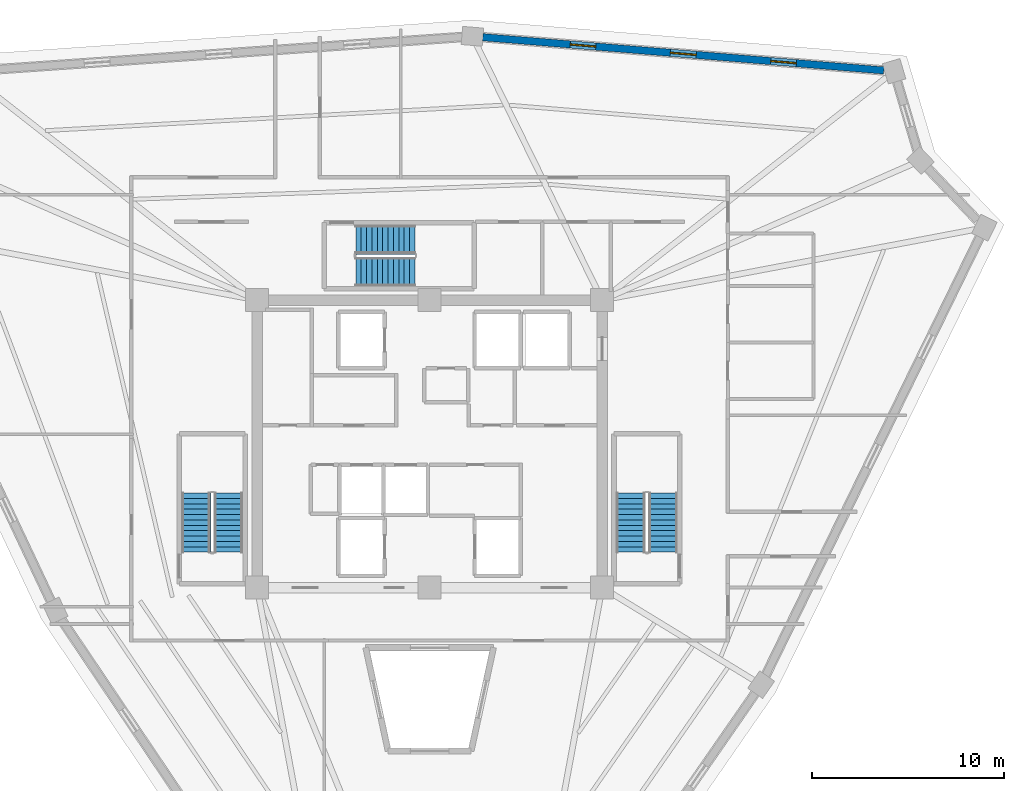
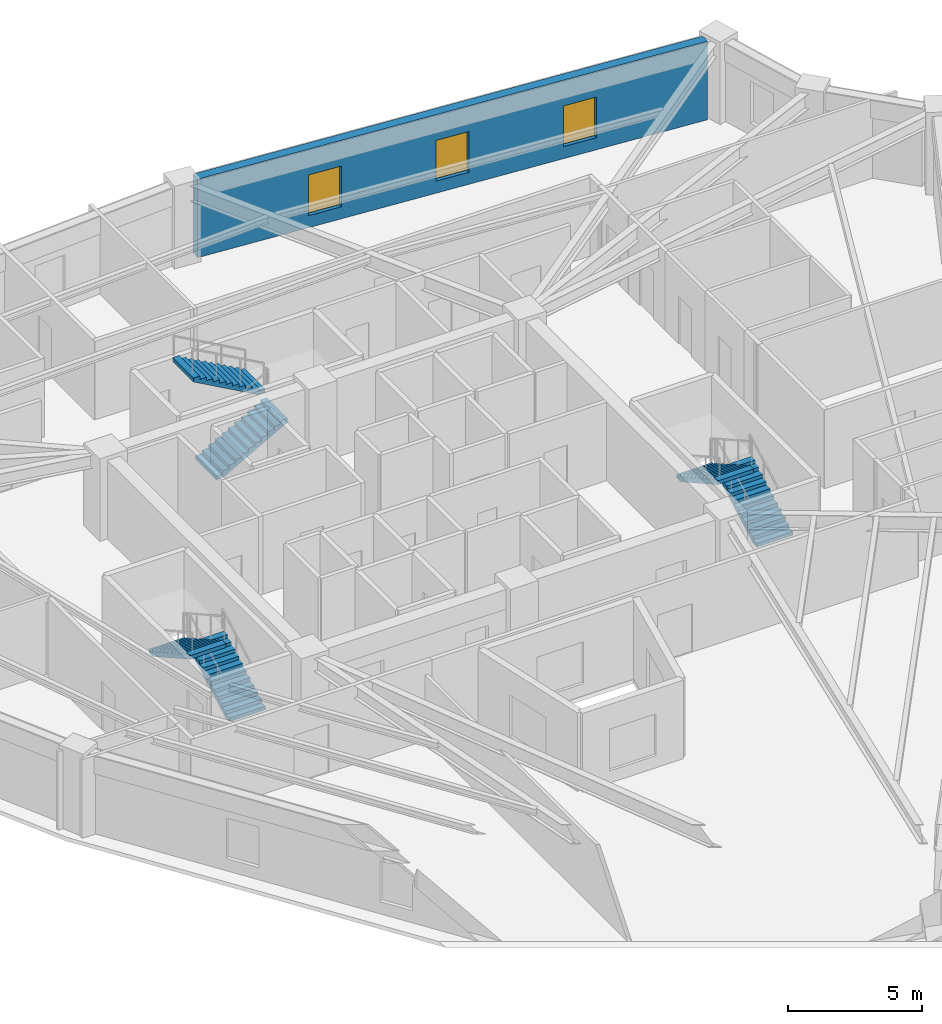
# One storey, part 7 of 8: 6 stair flights, 3 windows, 1 wall, 3 openings, 3 elements without a shape of their own.
"""IFC4 building model written with IfcOpenShell, lengths in metres."""

import ifcopenshell
import ifcopenshell.guid

model = None  # the IFC model being written
_history = None  # IfcOwnerHistory: only IFC2X3 demands one
_inside = {}  # id of a spatial element -> (the spatial element, [elements in it])
_under = {}  # id of a project, library or spatial element -> (it, [spatial elements below it])
_declared = {}  # id of a project -> (the project, [libraries it declares])
_typed = {}  # id of a type object -> (the type object, [elements of that type])
_made_of = {}  # id of a material, layer set ... -> (it, [elements and type objects made of it])


def new_model(schema):
    """Start an empty IFC model of exactly this schema.

    Asked for "IFC4X3", IfcOpenShell would pick the latest addendum, in which some entities
    have other attributes; the version numbers below select the first issue.
    IFC2X3 requires an IfcOwnerHistory on every rooted entity: one is made here for all.
    """
    global model, _history
    if schema == "IFC4X3":
        model = ifcopenshell.file(schema_version=(4, 3, 0, 0))
    else:
        model = ifcopenshell.file(schema=schema)
    _inside.clear()
    _under.clear()
    _declared.clear()
    _typed.clear()
    _made_of.clear()
    _history = None
    if model.schema == "IFC2X3":
        org = make("IfcOrganization", Name="unknown")
        user = make(
            "IfcPersonAndOrganization",
            ThePerson=make("IfcPerson", FamilyName="unknown"),
            TheOrganization=org,
        )
        app = make(
            "IfcApplication",
            ApplicationDeveloper=org,
            Version="unknown",
            ApplicationFullName="unknown",
            ApplicationIdentifier="unknown",
        )
        _history = make(
            "IfcOwnerHistory",
            OwningUser=user,
            OwningApplication=app,
            ChangeAction="ADDED",
            CreationDate=0,
        )
    return model


def make(cls, **values):
    """One entity of the class cls with the attributes given. An attribute that is None is left unset."""
    return model.create_entity(
        cls, **{name: value for name, value in values.items() if value is not None}
    )


def rooted(cls, **values):
    """An entity with a GlobalId (a new one), such as an element, a storey or a relation."""
    return make(cls, GlobalId=ifcopenshell.guid.new(), OwnerHistory=_history, **values)


def si_unit(unit_type, name, prefix=None):
    """IfcSIUnit, for example si_unit("LENGTHUNIT", "METRE", prefix="MILLI")."""
    return make("IfcSIUnit", UnitType=unit_type, Prefix=prefix, Name=name)


def assignment(units):
    """IfcUnitAssignment: the units of a project."""
    return None if units is None else make("IfcUnitAssignment", Units=units)


def point(xyz):
    """IfcCartesianPoint."""
    return None if xyz is None else make("IfcCartesianPoint", Coordinates=xyz)


def direction(xyz):
    """IfcDirection."""
    return None if xyz is None else make("IfcDirection", DirectionRatios=xyz)


def frame(location, z_axis=None, x_axis=None):
    """IfcAxis2Placement3D, a coordinate frame: its origin and axes. An axis left out is left unset."""
    return make(
        "IfcAxis2Placement3D",
        Location=point(location),
        Axis=direction(z_axis),
        RefDirection=direction(x_axis),
    )


def frame_2d(location, x_axis=None):
    """IfcAxis2Placement2D, a coordinate frame in the plane: its origin and x axis."""
    return make(
        "IfcAxis2Placement2D", Location=point(location), RefDirection=direction(x_axis)
    )


def origin():
    """The frame at (0, 0, 0) with its axes left unset."""
    return frame((0.0, 0.0, 0.0))


def place(relative_to, where):
    """IfcLocalPlacement: puts the frame where relative to a parent placement (None: the world)."""
    return make(
        "IfcLocalPlacement", PlacementRelTo=relative_to, RelativePlacement=where
    )


def context(
    kind, dimensions, precision=None, world=None, true_north=None, identifier=None
):
    """IfcGeometricRepresentationContext, for example the 3D "Model" context."""
    return make(
        "IfcGeometricRepresentationContext",
        ContextIdentifier=identifier,
        ContextType=kind,
        CoordinateSpaceDimension=dimensions,
        Precision=precision,
        WorldCoordinateSystem=world,
        TrueNorth=true_north,
    )


def subcontext(parent, identifier, kind, view, scale=None):
    """IfcGeometricRepresentationSubContext, for example "Body" below "Model"."""
    return make(
        "IfcGeometricRepresentationSubContext",
        ContextIdentifier=identifier,
        ContextType=kind,
        ParentContext=parent,
        TargetScale=scale,
        TargetView=view,
    )


def project(units=None, contexts=None):
    """IfcProject with its units and contexts."""
    return rooted(
        "IfcProject",
        Name="project",
        RepresentationContexts=contexts,
        UnitsInContext=assignment(units),
    )


def spatial(cls, under=None, at=None, **own):
    """A site, building, storey or space (cls), placed at a placement, below another one or the project."""
    s = rooted(cls, ObjectPlacement=at, **own)
    if under is not None:
        _under.setdefault(under.id(), (under, []))[1].append(s)
    return s


def polyline(points):
    """IfcPolyline through the points."""
    return make("IfcPolyline", Points=[point(p) for p in points])


def profile(cls, at=None, kind="AREA", **sizes):
    """A parametric profile (cls). Its sizes go by their IFC names, for example OverallWidth=200.0."""
    return make(cls, ProfileType=kind, Position=at, **sizes)


def rectangle(**sizes):
    """IfcRectangleProfileDef."""
    return profile("IfcRectangleProfileDef", **sizes)


def outline(outer, holes=None, kind="AREA"):
    """IfcArbitraryClosedProfileDef: a profile drawn as a closed curve; with holes, ...WithVoids."""
    if holes is None:
        return make("IfcArbitraryClosedProfileDef", ProfileType=kind, OuterCurve=outer)
    return make(
        "IfcArbitraryProfileDefWithVoids",
        ProfileType=kind,
        OuterCurve=outer,
        InnerCurves=holes,
    )


def extrude(swept, where, along, depth):
    """IfcExtrudedAreaSolid: the profile swept, set in the frame where, extruded along a direction by depth."""
    return make(
        "IfcExtrudedAreaSolid",
        SweptArea=swept,
        Position=where,
        ExtrudedDirection=direction(along),
        Depth=depth,
    )


def shape(context_of_items, identifier, shape_type, items):
    """IfcShapeRepresentation: the items that make up one representation, for example the "Body"."""
    return make(
        "IfcShapeRepresentation",
        ContextOfItems=context_of_items,
        RepresentationIdentifier=identifier,
        RepresentationType=shape_type,
        Items=items,
    )


def source(mapping_origin, context_of_items, identifier, shape_type, items):
    """IfcRepresentationMap: a shape defined once, which mapped items show again and again."""
    return make(
        "IfcRepresentationMap",
        MappingOrigin=mapping_origin,
        MappedRepresentation=shape(context_of_items, identifier, shape_type, items),
    )


def transform(
    local_origin,
    x_axis=None,
    y_axis=None,
    z_axis=None,
    scale=None,
    scale2=None,
    scale3=None,
    uniform=True,
):
    """IfcCartesianTransformationOperator3D, or its non-uniform kind. x_axis, y_axis, z_axis: its Axis1, 2, 3."""
    if uniform:
        return make(
            "IfcCartesianTransformationOperator3D",
            Axis1=direction(x_axis),
            Axis2=direction(y_axis),
            LocalOrigin=point(local_origin),
            Scale=scale,
            Axis3=direction(z_axis),
        )
    return make(
        "IfcCartesianTransformationOperator3DnonUniform",
        Axis1=direction(x_axis),
        Axis2=direction(y_axis),
        LocalOrigin=point(local_origin),
        Scale=scale,
        Axis3=direction(z_axis),
        Scale2=scale2,
        Scale3=scale3,
    )


def mapped(mapping_source, mapping_target):
    """IfcMappedItem: shows the shape of a source again, moved by a transform."""
    return make(
        "IfcMappedItem", MappingSource=mapping_source, MappingTarget=mapping_target
    )


def material(Name=None, Category=None):
    """IfcMaterial."""
    return make("IfcMaterial", Name=Name, Category=Category)


def layer(
    of_material, thickness, ventilated=None, Name=None, Category=None, Priority=None
):
    """IfcMaterialLayer: one layer of a wall or slab, of a material (None: an air gap)."""
    return make(
        "IfcMaterialLayer",
        Material=of_material,
        LayerThickness=thickness,
        IsVentilated=ventilated,
        Name=Name,
        Category=Category,
        Priority=Priority,
    )


def layer_set(layers, Name=None):
    """IfcMaterialLayerSet."""
    return make("IfcMaterialLayerSet", MaterialLayers=layers, LayerSetName=Name)


def made_of(thing, what):
    """Note that an element or type object is made of a material, layer set ...; save() writes the relation."""
    if what is not None:
        _made_of.setdefault(what.id(), (what, []))[1].append(thing)
    return thing


def type_object(cls, material=None, **own):
    """A type object (cls), such as IfcWallType, which elements share."""
    return made_of(rooted(cls, **own), material)


def element(
    cls,
    number,
    at=None,
    inside=None,
    cuts=None,
    type_object=None,
    material=None,
    context=None,
    identifier="Body",
    shape_type=None,
    held_by="IfcProductDefinitionShape",
    body=None,
    shapes=None,
    **own,
):
    """One element of the class cls, such as IfcWall. Its Tag is "e" and its number.

    at: its placement. inside: the storey or other place that contains it. cuts: it is an
    opening in that element (IfcRelVoidsElement). A single representation is given by context,
    identifier, shape_type and body (its items); several are given by shapes. held_by: the class
    of the entity that holds the representations. save() writes the other relations.
    """
    e = rooted(cls, Tag="e%d" % number, ObjectPlacement=at, **own)
    if body is not None:
        shapes = [shape(context, identifier, shape_type, body)]
    if shapes is not None:
        e.Representation = make(held_by, Representations=shapes)
    if inside is not None:
        _inside.setdefault(inside.id(), (inside, []))[1].append(e)
    if cuts is not None:
        rooted(
            "IfcRelVoidsElement", RelatingBuildingElement=cuts, RelatedOpeningElement=e
        )
    if type_object is not None:
        _typed.setdefault(type_object.id(), (type_object, []))[1].append(e)
    return made_of(e, material)


def fill(opening, filler):
    """IfcRelFillsElement: the door or window that sits in an opening."""
    return rooted(
        "IfcRelFillsElement",
        RelatingOpeningElement=opening,
        RelatedBuildingElement=filler,
    )


def aggregate(whole, parts):
    """IfcRelAggregates: a whole, such as a stair, and the parts it consists of."""
    return rooted("IfcRelAggregates", RelatingObject=whole, RelatedObjects=parts)


def save(model, path):
    """Write the relations noted so far, then the file.

    IfcRelAggregates (storeys below a building ...), IfcRelContainedInSpatialStructure (elements
    in a storey), IfcRelDefinesByType, IfcRelAssociatesMaterial and IfcRelDeclares: one each for
    every whole, place, type object, material and project.
    """
    for whole, parts in _under.values():
        aggregate(whole, parts)
    for where, things in _inside.values():
        rooted(
            "IfcRelContainedInSpatialStructure",
            RelatedElements=things,
            RelatingStructure=where,
        )
    for kind, things in _typed.values():
        rooted("IfcRelDefinesByType", RelatedObjects=things, RelatingType=kind)
    for what, things in _made_of.values():
        rooted("IfcRelAssociatesMaterial", RelatedObjects=things, RelatingMaterial=what)
    for by, libraries in _declared.values():
        rooted("IfcRelDeclares", RelatingContext=by, RelatedDefinitions=libraries)
    model.write(path)


model = new_model("IFC4")

# Units and contexts
model_context = context("Model", 3, precision=1e-05, world=origin(), true_north=direction((0.0, 1.0)))
body_context = subcontext(model_context, "Body", "Model", "MODEL_VIEW")
ifc_project = project(units=[si_unit("LENGTHUNIT", "METRE"), si_unit("AREAUNIT", "SQUARE_METRE"), si_unit("VOLUMEUNIT", "CUBIC_METRE"), si_unit("PLANEANGLEUNIT", "RADIAN"), si_unit("MASSUNIT", "GRAM", prefix="KILO")], contexts=[model_context])

# Site, building, storey
site_placement = place(None, origin())
site = spatial("IfcSite", under=ifc_project, at=site_placement, CompositionType="ELEMENT")
building_placement = place(site_placement, origin())
building = spatial("IfcBuilding", under=site, at=building_placement, Name="Liaohun Quay Tower", CompositionType="ELEMENT")
storey_placement = place(building_placement, frame((0.0, 0.0, 343.5)))
storey = spatial("IfcBuildingStorey", under=building, at=storey_placement, Name="L89", CompositionType="ELEMENT", Elevation=343.5)

# Wall, openings, windows
ifc_material_1 = material(Name="Precast concrete C50 insulated sandwich", Category="concrete")
ifc_layer = layer(ifc_material_1, 0.3798828125, Name="Precast concrete C50 insulated sandwich", Category="concrete")
ifc_layer_set = layer_set([ifc_layer], Name="Precast concrete C50 insulated sandwich")
wall_type = type_object("IfcWallType", Name="WAL-EXT-Z34", PredefinedType="SOLIDWALL", material=ifc_layer_set)
wall_placement = place(storey_placement, frame((83.697021484375, 73.48291015625, 0.0), z_axis=(0.0, 0.0, 1.0), x_axis=(-0.996579754875, 0.082636506293, 0.0)))
wall = element("IfcWall", 1, at=wall_placement, inside=storey, type_object=wall_type, Name="L89 Brutalist Precast Pier Wall 06", PredefinedType="SOLIDWALL", context=body_context, shape_type="SweptSolid", body=[
    extrude(rectangle(XDim=20.996826171875, YDim=0.3798828125, at=frame_2d((10.49853515625, 0.0))), origin(), (0.0, 0.0, 1.0), 3.570068359375),
])
shared_shape_1 = source(origin(), body_context, "Body", "SweptSolid", [
    extrude(rectangle(XDim=1.35009765625, YDim=1.85009765625, at=frame_2d((0.675048828125, 0.925048828125))), frame((0.0, 0.199951171875, 0.0), z_axis=(0.0, -1.0, 0.0), x_axis=(1.0, 0.0, 0.0)), (0.0, 0.0, 1.0), 0.39990234375),
])
opening_1_placement = place(wall_placement, frame((4.573974609375, 0.0, 0.550048828125)))
opening_1 = element("IfcOpeningElement", 2, at=opening_1_placement, cuts=wall, Name="Opening W04", PredefinedType="OPENING", context=body_context, shape_type="MappedRepresentation", body=[
    mapped(shared_shape_1, transform((0.0, 0.0, 0.0), x_axis=(1.0, 0.0, 0.0), y_axis=(0.0, 1.0, 0.0), z_axis=(0.0, 0.0, 1.0), scale=1.0)),
])
opening_2_placement = place(wall_placement, frame((9.822998046875, 0.0, 0.550048828125)))
opening_2 = element("IfcOpeningElement", 3, at=opening_2_placement, cuts=wall, Name="Opening W04", PredefinedType="OPENING", context=body_context, shape_type="MappedRepresentation", body=[
    mapped(shared_shape_1, transform((0.0, 0.0, 0.0), x_axis=(1.0, 0.0, 0.0), y_axis=(0.0, 1.0, 0.0), z_axis=(0.0, 0.0, 1.0), scale=1.0)),
])
opening_3_placement = place(wall_placement, frame((15.072998046875, 0.0, 0.550048828125)))
opening_3 = element("IfcOpeningElement", 4, at=opening_3_placement, cuts=wall, Name="Opening W04", PredefinedType="OPENING", context=body_context, shape_type="MappedRepresentation", body=[
    mapped(shared_shape_1, transform((0.0, 0.0, 0.0), x_axis=(1.0, 0.0, 0.0), y_axis=(0.0, 1.0, 0.0), z_axis=(0.0, 0.0, 1.0), scale=1.0)),
])
ifc_material_2 = material(Name="Triple Low-E argon glazing in thermally broken aluminium", Category="aluminium")
window_type = type_object("IfcWindowType", Name="WIN-PUN-Z4", PartitioningType="SINGLE_PANEL", PredefinedType="WINDOW", material=ifc_material_2)
shared_shape_2 = source(origin(), body_context, "Body", "SweptSolid", [
    extrude(rectangle(XDim=1.35009765625, YDim=1.85009765625, at=frame_2d((0.675048828125, 0.925048828125))), frame((0.0, 0.030029296875, 0.0), z_axis=(0.0, -1.0, 0.0), x_axis=(1.0, 0.0, 0.0)), (0.0, 0.0, 1.0), 0.06005859375),
])
window_1_placement = place(opening_1_placement, origin())
window_1 = element("IfcWindow", 5, at=window_1_placement, inside=storey, type_object=window_type, Name="L89 Recessed Cold-Climate Punched Window 06-1", OverallHeight=1.85009765625, OverallWidth=1.35009765625, PartitioningType="SINGLE_PANEL", PredefinedType="WINDOW", context=body_context, shape_type="MappedRepresentation", body=[
    mapped(shared_shape_2, transform((0.0, 0.0, 0.0), x_axis=(1.0, 0.0, 0.0), y_axis=(0.0, 1.0, 0.0), z_axis=(0.0, 0.0, 1.0), scale=1.0)),
])
fill(opening_1, window_1)
window_2_placement = place(opening_2_placement, origin())
window_2 = element("IfcWindow", 6, at=window_2_placement, inside=storey, type_object=window_type, Name="L89 Recessed Cold-Climate Punched Window 06-2", OverallHeight=1.85009765625, OverallWidth=1.35009765625, PartitioningType="SINGLE_PANEL", PredefinedType="WINDOW", context=body_context, shape_type="MappedRepresentation", body=[
    mapped(shared_shape_2, transform((0.0, 0.0, 0.0), x_axis=(1.0, 0.0, 0.0), y_axis=(0.0, 1.0, 0.0), z_axis=(0.0, 0.0, 1.0), scale=1.0)),
])
fill(opening_2, window_2)
window_3_placement = place(opening_3_placement, origin())
window_3 = element("IfcWindow", 7, at=window_3_placement, inside=storey, type_object=window_type, Name="L89 Recessed Cold-Climate Punched Window 06-3", OverallHeight=1.85009765625, OverallWidth=1.35009765625, PartitioningType="SINGLE_PANEL", PredefinedType="WINDOW", context=body_context, shape_type="MappedRepresentation", body=[
    mapped(shared_shape_2, transform((0.0, 0.0, 0.0), x_axis=(1.0, 0.0, 0.0), y_axis=(0.0, 1.0, 0.0), z_axis=(0.0, 0.0, 1.0), scale=1.0)),
])
fill(opening_3, window_3)

# Stair, stair flights
ifc_material_3 = material(Name="Concrete C45", Category="concrete")
stair_type = type_object("IfcStairType", Name="STR-CORE-OFF", PredefinedType="HALF_TURN_STAIR", material=ifc_material_3)
stair_1_placement = place(storey_placement, origin())
stair_1 = element("IfcStair", 8, at=stair_1_placement, inside=storey, type_object=stair_type, Name="L89 Smokeproof Core Exit Stair ST-1", PredefinedType="HALF_TURN_STAIR")
stair_flight_type = type_object("IfcStairFlightType", Name="FLT-CORE-155", PredefinedType="STRAIGHT", material=ifc_material_3)
stair_flight_1_placement = place(storey_placement, frame((49.5048828125, 48.35009765625, 0.0), z_axis=(0.0, 0.0, 1.0), x_axis=(0.0, 1.0, 0.0)))
stair_flight_1 = element("IfcStairFlight", 9, at=stair_flight_1_placement, type_object=stair_flight_type, Name="ST-1 flight 1", NumberOfRisers=12, NumberOfTreads=11, PredefinedType="STRAIGHT", RiserHeight=0.15625, TreadLength=0.28, context=body_context, shape_type="SweptSolid", body=[
    extrude(outline(polyline([(0.0, 0.0), (0.0, 0.15625), (0.280029296875, 0.15625), (0.280029296875, 0.3125), (0.56005859375, 0.3125), (0.56005859375, 0.46875), (0.840087890625, 0.46875), (0.840087890625, 0.625), (1.1201171875, 0.625), (1.1201171875, 0.78125), (1.39990234375, 0.78125), (1.39990234375, 0.9375), (1.679931640625, 0.9375), (1.679931640625, 1.09375), (1.9599609375, 1.09375), (1.9599609375, 1.25), (2.239990234375, 1.25), (2.239990234375, 1.40625), (2.52001953125, 1.40625), (2.52001953125, 1.5625), (2.800048828125, 1.5625), (2.800048828125, 1.71875), (3.080078125, 1.71875), (3.080078125, 1.875), (3.080078125, 1.547119140625), (0.3076171875, 0.0), (0.0, 0.0)])), frame((0.0, 0.77490234375, 0.0), z_axis=(0.0, -1.0, 0.0), x_axis=(1.0, 0.0, 0.0)), (0.0, 0.0, 1.0), 1.550048828125),
])
stair_flight_2_placement = place(storey_placement, frame((47.81494140625, 51.429931640625, 1.875), z_axis=(0.0, 0.0, 1.0), x_axis=(0.0, -1.0, 0.0)))
stair_flight_2 = element("IfcStairFlight", 10, at=stair_flight_2_placement, type_object=stair_flight_type, Name="ST-1 flight 2", NumberOfRisers=12, NumberOfTreads=11, PredefinedType="STRAIGHT", RiserHeight=0.15625, TreadLength=0.28, context=body_context, shape_type="SweptSolid", body=[
    extrude(outline(polyline([(0.0, 0.0), (0.0, 0.15625), (0.280029296875, 0.15625), (0.280029296875, 0.3125), (0.56005859375, 0.3125), (0.56005859375, 0.46875), (0.840087890625, 0.46875), (0.840087890625, 0.625), (1.1201171875, 0.625), (1.1201171875, 0.78125), (1.39990234375, 0.78125), (1.39990234375, 0.9375), (1.679931640625, 0.9375), (1.679931640625, 1.09375), (1.9599609375, 1.09375), (1.9599609375, 1.25), (2.239990234375, 1.25), (2.239990234375, 1.40625), (2.52001953125, 1.40625), (2.52001953125, 1.5625), (2.800048828125, 1.5625), (2.800048828125, 1.71875), (3.080078125, 1.71875), (3.080078125, 1.875), (3.080078125, 1.547119140625), (0.3076171875, 0.0), (0.0, 0.0)])), frame((0.0, 0.77490234375, 0.0), z_axis=(0.0, -1.0, 0.0), x_axis=(1.0, 0.0, 0.0)), (0.0, 0.0, 1.0), 1.550048828125),
])
aggregate(stair_1, [stair_flight_1, stair_flight_2])

stair_2_placement = place(storey_placement, origin())
stair_2 = element("IfcStair", 11, at=stair_2_placement, inside=storey, type_object=stair_type, Name="L89 Smokeproof Core Exit Stair ST-2", PredefinedType="HALF_TURN_STAIR")
stair_flight_3_placement = place(storey_placement, frame((72.18505859375, 48.35009765625, 0.0), z_axis=(0.0, 0.0, 1.0), x_axis=(0.0, 1.0, 0.0)))
stair_flight_3 = element("IfcStairFlight", 12, at=stair_flight_3_placement, type_object=stair_flight_type, Name="ST-2 flight 1", NumberOfRisers=12, NumberOfTreads=11, PredefinedType="STRAIGHT", RiserHeight=0.15625, TreadLength=0.28, context=body_context, shape_type="SweptSolid", body=[
    extrude(outline(polyline([(0.0, 0.0), (0.0, 0.15625), (0.280029296875, 0.15625), (0.280029296875, 0.3125), (0.56005859375, 0.3125), (0.56005859375, 0.46875), (0.840087890625, 0.46875), (0.840087890625, 0.625), (1.1201171875, 0.625), (1.1201171875, 0.78125), (1.39990234375, 0.78125), (1.39990234375, 0.9375), (1.679931640625, 0.9375), (1.679931640625, 1.09375), (1.9599609375, 1.09375), (1.9599609375, 1.25), (2.239990234375, 1.25), (2.239990234375, 1.40625), (2.52001953125, 1.40625), (2.52001953125, 1.5625), (2.800048828125, 1.5625), (2.800048828125, 1.71875), (3.080078125, 1.71875), (3.080078125, 1.875), (3.080078125, 1.547119140625), (0.3076171875, 0.0), (0.0, 0.0)])), frame((0.0, 0.77490234375, 0.0), z_axis=(0.0, -1.0, 0.0), x_axis=(1.0, 0.0, 0.0)), (0.0, 0.0, 1.0), 1.550048828125),
])
stair_flight_4_placement = place(storey_placement, frame((70.4951171875, 51.429931640625, 1.875), z_axis=(0.0, 0.0, 1.0), x_axis=(0.0, -1.0, 0.0)))
stair_flight_4 = element("IfcStairFlight", 13, at=stair_flight_4_placement, type_object=stair_flight_type, Name="ST-2 flight 2", NumberOfRisers=12, NumberOfTreads=11, PredefinedType="STRAIGHT", RiserHeight=0.15625, TreadLength=0.28, context=body_context, shape_type="SweptSolid", body=[
    extrude(outline(polyline([(0.0, 0.0), (0.0, 0.15625), (0.280029296875, 0.15625), (0.280029296875, 0.3125), (0.56005859375, 0.3125), (0.56005859375, 0.46875), (0.840087890625, 0.46875), (0.840087890625, 0.625), (1.1201171875, 0.625), (1.1201171875, 0.78125), (1.39990234375, 0.78125), (1.39990234375, 0.9375), (1.679931640625, 0.9375), (1.679931640625, 1.09375), (1.9599609375, 1.09375), (1.9599609375, 1.25), (2.239990234375, 1.25), (2.239990234375, 1.40625), (2.52001953125, 1.40625), (2.52001953125, 1.5625), (2.800048828125, 1.5625), (2.800048828125, 1.71875), (3.080078125, 1.71875), (3.080078125, 1.875), (3.080078125, 1.547119140625), (0.3076171875, 0.0), (0.0, 0.0)])), frame((0.0, 0.77490234375, 0.0), z_axis=(0.0, -1.0, 0.0), x_axis=(1.0, 0.0, 0.0)), (0.0, 0.0, 1.0), 1.550048828125),
])
aggregate(stair_2, [stair_flight_3, stair_flight_4])

stair_3_placement = place(storey_placement, origin())
stair_3 = element("IfcStair", 14, at=stair_3_placement, inside=storey, type_object=stair_type, Name="L89 Smokeproof Core Exit Stair ST-3", PredefinedType="HALF_TURN_STAIR")
stair_flight_5_placement = place(storey_placement, frame((56.14990234375, 62.97509765625, 0.0), z_axis=(0.0, 0.0, 1.0), x_axis=(1.0, 0.0, 0.0)))
stair_flight_5 = element("IfcStairFlight", 15, at=stair_flight_5_placement, type_object=stair_flight_type, Name="ST-3 flight 1", NumberOfRisers=12, NumberOfTreads=11, PredefinedType="STRAIGHT", RiserHeight=0.15625, TreadLength=0.28, context=body_context, shape_type="SweptSolid", body=[
    extrude(outline(polyline([(0.0, 0.0), (0.0, 0.15625), (0.280029296875, 0.15625), (0.280029296875, 0.3125), (0.56005859375, 0.3125), (0.56005859375, 0.46875), (0.840087890625, 0.46875), (0.840087890625, 0.625), (1.1201171875, 0.625), (1.1201171875, 0.78125), (1.39990234375, 0.78125), (1.39990234375, 0.9375), (1.679931640625, 0.9375), (1.679931640625, 1.09375), (1.9599609375, 1.09375), (1.9599609375, 1.25), (2.239990234375, 1.25), (2.239990234375, 1.40625), (2.52001953125, 1.40625), (2.52001953125, 1.5625), (2.800048828125, 1.5625), (2.800048828125, 1.71875), (3.080078125, 1.71875), (3.080078125, 1.875), (3.080078125, 1.547119140625), (0.3076171875, 0.0), (0.0, 0.0)])), frame((0.0, 0.77490234375, 0.0), z_axis=(0.0, -1.0, 0.0), x_axis=(1.0, 0.0, 0.0)), (0.0, 0.0, 1.0), 1.550048828125),
])
stair_flight_6_placement = place(storey_placement, frame((59.22998046875, 64.6650390625, 1.875), z_axis=(0.0, 0.0, 1.0), x_axis=(-1.0, 0.0, 0.0)))
stair_flight_6 = element("IfcStairFlight", 16, at=stair_flight_6_placement, type_object=stair_flight_type, Name="ST-3 flight 2", NumberOfRisers=12, NumberOfTreads=11, PredefinedType="STRAIGHT", RiserHeight=0.15625, TreadLength=0.28, context=body_context, shape_type="SweptSolid", body=[
    extrude(outline(polyline([(0.0, 0.0), (0.0, 0.15625), (0.280029296875, 0.15625), (0.280029296875, 0.3125), (0.56005859375, 0.3125), (0.56005859375, 0.46875), (0.840087890625, 0.46875), (0.840087890625, 0.625), (1.1201171875, 0.625), (1.1201171875, 0.78125), (1.39990234375, 0.78125), (1.39990234375, 0.9375), (1.679931640625, 0.9375), (1.679931640625, 1.09375), (1.9599609375, 1.09375), (1.9599609375, 1.25), (2.239990234375, 1.25), (2.239990234375, 1.40625), (2.52001953125, 1.40625), (2.52001953125, 1.5625), (2.800048828125, 1.5625), (2.800048828125, 1.71875), (3.080078125, 1.71875), (3.080078125, 1.875), (3.080078125, 1.547119140625), (0.3076171875, 0.0), (0.0, 0.0)])), frame((0.0, 0.77490234375, 0.0), z_axis=(0.0, -1.0, 0.0), x_axis=(1.0, 0.0, 0.0)), (0.0, 0.0, 1.0), 1.550048828125),
])
aggregate(stair_3, [stair_flight_5, stair_flight_6])

save(model, "model.ifc")
